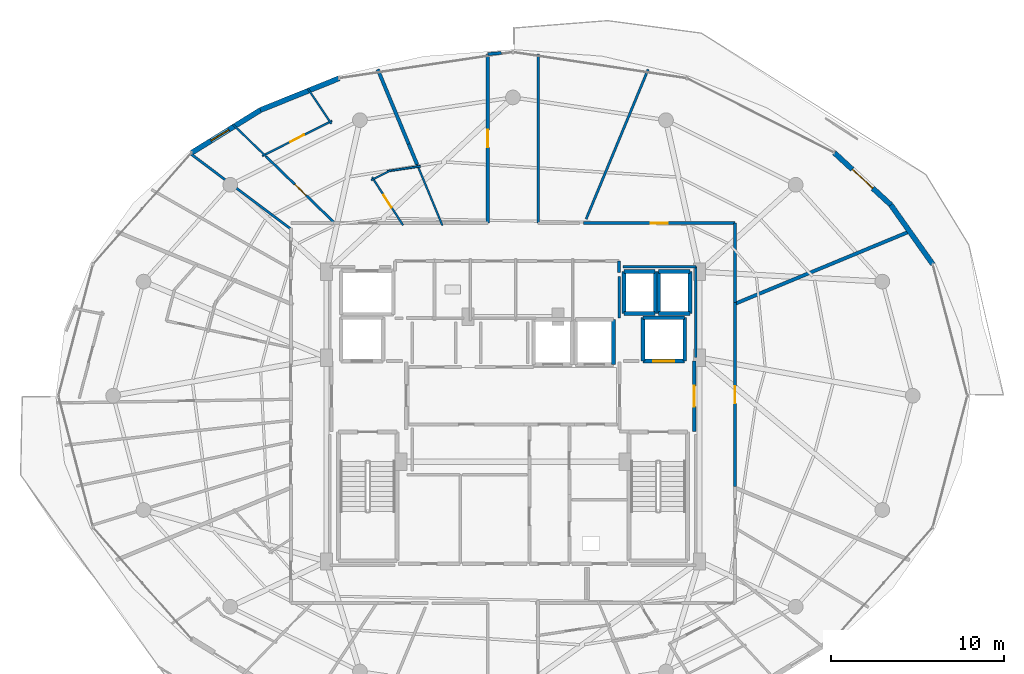
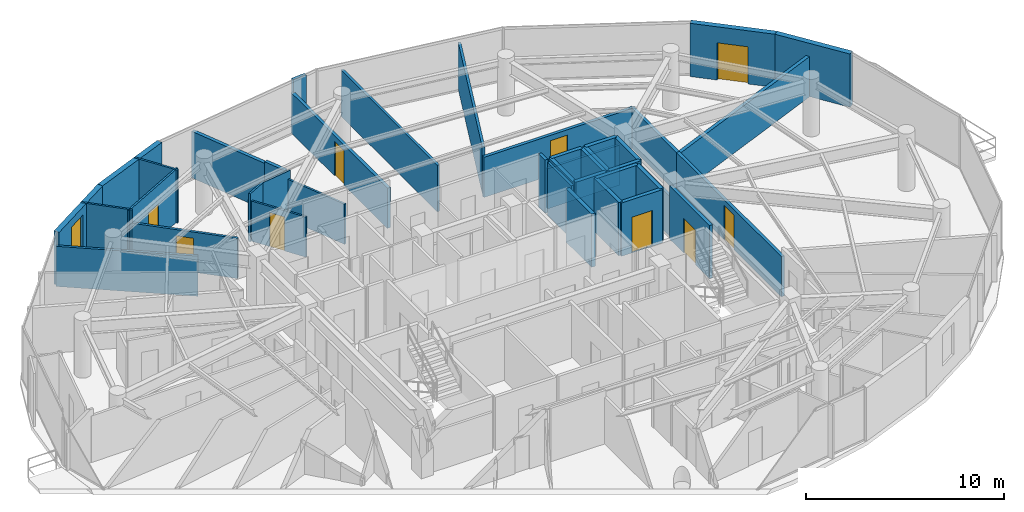
# One storey, part 27 of 31: 41 walls, 9 doors, 1 window, 10 openings.
"""IFC4 building model written with IfcOpenShell, lengths in metres."""

import ifcopenshell
import ifcopenshell.guid

model = None  # the IFC model being written
_history = None  # IfcOwnerHistory: only IFC2X3 demands one
_inside = {}  # id of a spatial element -> (the spatial element, [elements in it])
_under = {}  # id of a project, library or spatial element -> (it, [spatial elements below it])
_declared = {}  # id of a project -> (the project, [libraries it declares])
_typed = {}  # id of a type object -> (the type object, [elements of that type])
_made_of = {}  # id of a material, layer set ... -> (it, [elements and type objects made of it])


def new_model(schema):
    """Start an empty IFC model of exactly this schema.

    Asked for "IFC4X3", IfcOpenShell would pick the latest addendum, in which some entities
    have other attributes; the version numbers below select the first issue.
    IFC2X3 requires an IfcOwnerHistory on every rooted entity: one is made here for all.
    """
    global model, _history
    if schema == "IFC4X3":
        model = ifcopenshell.file(schema_version=(4, 3, 0, 0))
    else:
        model = ifcopenshell.file(schema=schema)
    _inside.clear()
    _under.clear()
    _declared.clear()
    _typed.clear()
    _made_of.clear()
    _history = None
    if model.schema == "IFC2X3":
        org = make("IfcOrganization", Name="unknown")
        user = make(
            "IfcPersonAndOrganization",
            ThePerson=make("IfcPerson", FamilyName="unknown"),
            TheOrganization=org,
        )
        app = make(
            "IfcApplication",
            ApplicationDeveloper=org,
            Version="unknown",
            ApplicationFullName="unknown",
            ApplicationIdentifier="unknown",
        )
        _history = make(
            "IfcOwnerHistory",
            OwningUser=user,
            OwningApplication=app,
            ChangeAction="ADDED",
            CreationDate=0,
        )
    return model


def make(cls, **values):
    """One entity of the class cls with the attributes given. An attribute that is None is left unset."""
    return model.create_entity(
        cls, **{name: value for name, value in values.items() if value is not None}
    )


def rooted(cls, **values):
    """An entity with a GlobalId (a new one), such as an element, a storey or a relation."""
    return make(cls, GlobalId=ifcopenshell.guid.new(), OwnerHistory=_history, **values)


def si_unit(unit_type, name, prefix=None):
    """IfcSIUnit, for example si_unit("LENGTHUNIT", "METRE", prefix="MILLI")."""
    return make("IfcSIUnit", UnitType=unit_type, Prefix=prefix, Name=name)


def assignment(units):
    """IfcUnitAssignment: the units of a project."""
    return None if units is None else make("IfcUnitAssignment", Units=units)


def point(xyz):
    """IfcCartesianPoint."""
    return None if xyz is None else make("IfcCartesianPoint", Coordinates=xyz)


def direction(xyz):
    """IfcDirection."""
    return None if xyz is None else make("IfcDirection", DirectionRatios=xyz)


def frame(location, z_axis=None, x_axis=None):
    """IfcAxis2Placement3D, a coordinate frame: its origin and axes. An axis left out is left unset."""
    return make(
        "IfcAxis2Placement3D",
        Location=point(location),
        Axis=direction(z_axis),
        RefDirection=direction(x_axis),
    )


def frame_2d(location, x_axis=None):
    """IfcAxis2Placement2D, a coordinate frame in the plane: its origin and x axis."""
    return make(
        "IfcAxis2Placement2D", Location=point(location), RefDirection=direction(x_axis)
    )


def origin():
    """The frame at (0, 0, 0) with its axes left unset."""
    return frame((0.0, 0.0, 0.0))


def place(relative_to, where):
    """IfcLocalPlacement: puts the frame where relative to a parent placement (None: the world)."""
    return make(
        "IfcLocalPlacement", PlacementRelTo=relative_to, RelativePlacement=where
    )


def context(
    kind, dimensions, precision=None, world=None, true_north=None, identifier=None
):
    """IfcGeometricRepresentationContext, for example the 3D "Model" context."""
    return make(
        "IfcGeometricRepresentationContext",
        ContextIdentifier=identifier,
        ContextType=kind,
        CoordinateSpaceDimension=dimensions,
        Precision=precision,
        WorldCoordinateSystem=world,
        TrueNorth=true_north,
    )


def subcontext(parent, identifier, kind, view, scale=None):
    """IfcGeometricRepresentationSubContext, for example "Body" below "Model"."""
    return make(
        "IfcGeometricRepresentationSubContext",
        ContextIdentifier=identifier,
        ContextType=kind,
        ParentContext=parent,
        TargetScale=scale,
        TargetView=view,
    )


def project(units=None, contexts=None):
    """IfcProject with its units and contexts."""
    return rooted(
        "IfcProject",
        Name="project",
        RepresentationContexts=contexts,
        UnitsInContext=assignment(units),
    )


def spatial(cls, under=None, at=None, **own):
    """A site, building, storey or space (cls), placed at a placement, below another one or the project."""
    s = rooted(cls, ObjectPlacement=at, **own)
    if under is not None:
        _under.setdefault(under.id(), (under, []))[1].append(s)
    return s


def profile(cls, at=None, kind="AREA", **sizes):
    """A parametric profile (cls). Its sizes go by their IFC names, for example OverallWidth=200.0."""
    return make(cls, ProfileType=kind, Position=at, **sizes)


def rectangle(**sizes):
    """IfcRectangleProfileDef."""
    return profile("IfcRectangleProfileDef", **sizes)


def extrude(swept, where, along, depth):
    """IfcExtrudedAreaSolid: the profile swept, set in the frame where, extruded along a direction by depth."""
    return make(
        "IfcExtrudedAreaSolid",
        SweptArea=swept,
        Position=where,
        ExtrudedDirection=direction(along),
        Depth=depth,
    )


def shape(context_of_items, identifier, shape_type, items):
    """IfcShapeRepresentation: the items that make up one representation, for example the "Body"."""
    return make(
        "IfcShapeRepresentation",
        ContextOfItems=context_of_items,
        RepresentationIdentifier=identifier,
        RepresentationType=shape_type,
        Items=items,
    )


def material(Name=None, Category=None):
    """IfcMaterial."""
    return make("IfcMaterial", Name=Name, Category=Category)


def layer(
    of_material, thickness, ventilated=None, Name=None, Category=None, Priority=None
):
    """IfcMaterialLayer: one layer of a wall or slab, of a material (None: an air gap)."""
    return make(
        "IfcMaterialLayer",
        Material=of_material,
        LayerThickness=thickness,
        IsVentilated=ventilated,
        Name=Name,
        Category=Category,
        Priority=Priority,
    )


def layer_set(layers, Name=None):
    """IfcMaterialLayerSet."""
    return make("IfcMaterialLayerSet", MaterialLayers=layers, LayerSetName=Name)


def made_of(thing, what):
    """Note that an element or type object is made of a material, layer set ...; save() writes the relation."""
    if what is not None:
        _made_of.setdefault(what.id(), (what, []))[1].append(thing)
    return thing


def type_object(cls, material=None, **own):
    """A type object (cls), such as IfcWallType, which elements share."""
    return made_of(rooted(cls, **own), material)


def element(
    cls,
    number,
    at=None,
    inside=None,
    cuts=None,
    type_object=None,
    material=None,
    context=None,
    identifier="Body",
    shape_type=None,
    held_by="IfcProductDefinitionShape",
    body=None,
    shapes=None,
    **own,
):
    """One element of the class cls, such as IfcWall. Its Tag is "e" and its number.

    at: its placement. inside: the storey or other place that contains it. cuts: it is an
    opening in that element (IfcRelVoidsElement). A single representation is given by context,
    identifier, shape_type and body (its items); several are given by shapes. held_by: the class
    of the entity that holds the representations. save() writes the other relations.
    """
    e = rooted(cls, Tag="e%d" % number, ObjectPlacement=at, **own)
    if body is not None:
        shapes = [shape(context, identifier, shape_type, body)]
    if shapes is not None:
        e.Representation = make(held_by, Representations=shapes)
    if inside is not None:
        _inside.setdefault(inside.id(), (inside, []))[1].append(e)
    if cuts is not None:
        rooted(
            "IfcRelVoidsElement", RelatingBuildingElement=cuts, RelatedOpeningElement=e
        )
    if type_object is not None:
        _typed.setdefault(type_object.id(), (type_object, []))[1].append(e)
    return made_of(e, material)


def fill(opening, filler):
    """IfcRelFillsElement: the door or window that sits in an opening."""
    return rooted(
        "IfcRelFillsElement",
        RelatingOpeningElement=opening,
        RelatedBuildingElement=filler,
    )


def aggregate(whole, parts):
    """IfcRelAggregates: a whole, such as a stair, and the parts it consists of."""
    return rooted("IfcRelAggregates", RelatingObject=whole, RelatedObjects=parts)


def save(model, path):
    """Write the relations noted so far, then the file.

    IfcRelAggregates (storeys below a building ...), IfcRelContainedInSpatialStructure (elements
    in a storey), IfcRelDefinesByType, IfcRelAssociatesMaterial and IfcRelDeclares: one each for
    every whole, place, type object, material and project.
    """
    for whole, parts in _under.values():
        aggregate(whole, parts)
    for where, things in _inside.values():
        rooted(
            "IfcRelContainedInSpatialStructure",
            RelatedElements=things,
            RelatingStructure=where,
        )
    for kind, things in _typed.values():
        rooted("IfcRelDefinesByType", RelatedObjects=things, RelatingType=kind)
    for what, things in _made_of.values():
        rooted("IfcRelAssociatesMaterial", RelatedObjects=things, RelatingMaterial=what)
    for by, libraries in _declared.values():
        rooted("IfcRelDeclares", RelatingContext=by, RelatedDefinitions=libraries)
    model.write(path)


model = new_model("IFC4")

# Units and contexts
model_context = context("Model", 3, precision=1e-05, world=origin(), true_north=direction((0.0, 1.0)))
body_context = subcontext(model_context, "Body", "Model", "MODEL_VIEW")
ifc_project = project(units=[si_unit("LENGTHUNIT", "METRE"), si_unit("AREAUNIT", "SQUARE_METRE"), si_unit("VOLUMEUNIT", "CUBIC_METRE"), si_unit("PLANEANGLEUNIT", "RADIAN"), si_unit("MASSUNIT", "GRAM", prefix="KILO")], contexts=[model_context])

# Site, building, storey
site_placement = place(None, origin())
site = spatial("IfcSite", under=ifc_project, at=site_placement, CompositionType="ELEMENT")
building_placement = place(site_placement, origin())
building = spatial("IfcBuilding", under=site, at=building_placement, Name="Vorneva Point Tower", CompositionType="ELEMENT")
storey_placement = place(building_placement, frame((0.0, 0.0, 244.89990234375)))
storey = spatial("IfcBuildingStorey", under=building, at=storey_placement, Name="L66", CompositionType="ELEMENT", Elevation=244.89990234375)

# Wall, opening, door
ifc_material_1 = material(Name="Concrete B60 (C50/60)", Category="concrete")
ifc_layer_1 = layer(ifc_material_1, 0.35009765625)
ifc_layer_set_1 = layer_set([ifc_layer_1], Name="Concrete B60 (C50/60)")
wall_type_1 = type_object("IfcWallType", Name="WL-CORE-350", PredefinedType="SHEAR", material=ifc_layer_set_1)
wall_1_placement = place(storey_placement, frame((45.5, 28.0, 0.0), z_axis=(0.0, 0.0, 1.0), x_axis=(1.0, 0.0, 0.0)))
wall_1 = element("IfcWall", 1, at=wall_1_placement, inside=storey, type_object=wall_type_1, Name="L66 Lift FFL2 Shaft Wall -Y", PredefinedType="SHEAR", context=body_context, shape_type="SweptSolid", body=[
    extrude(rectangle(XDim=2.39990234375, YDim=0.219970703125, at=frame_2d((1.199951171875, 0.0))), origin(), (0.0, 0.0, 1.0), 3.2900390625),
])
opening_1_placement = place(wall_1_placement, frame((0.60009765625, 0.0, 0.0)))
opening_1 = element("IfcOpeningElement", 2, at=opening_1_placement, cuts=wall_1, Name="Opening LD-02", PredefinedType="OPENING", context=body_context, shape_type="SweptSolid", body=[
    extrude(rectangle(XDim=1.199951171875, YDim=2.199951171875, at=frame_2d((0.60009765625, 1.10009765625))), frame((0.0, 0.125, 0.0), z_axis=(0.0, -1.0, 0.0), x_axis=(1.0, 0.0, 0.0)), (0.0, 0.0, 1.0), 0.249755859375),
])
ifc_material_2 = material(Name="Brushed stainless steel S304", Category="steel")
door_type_1 = type_object("IfcDoorType", Name="LD-FIRE-1200", OperationType="SLIDING_TO_LEFT", PredefinedType="DOOR", material=ifc_material_2)
door_1_placement = place(opening_1_placement, origin())
door_1 = element("IfcDoor", 3, at=door_1_placement, inside=storey, type_object=door_type_1, Name="L66 Lift FFL2 Sliding Landing Door", OperationType="SLIDING_TO_LEFT", OverallHeight=2.199951171875, OverallWidth=1.199951171875, PredefinedType="DOOR", context=body_context, shape_type="SweptSolid", body=[
    extrude(rectangle(XDim=1.199951171875, YDim=2.199951171875, at=frame_2d((0.60009765625, 1.10009765625))), frame((0.0, 0.02490234375, 0.0), z_axis=(0.0, -1.0, 0.0), x_axis=(1.0, 0.0, 0.0)), (0.0, 0.0, 1.0), 0.050048828125),
])
fill(opening_1, door_1)

# Walls
wall_2_placement = place(storey_placement, frame((47.89990234375, 28.0, 0.0), z_axis=(0.0, 0.0, 1.0), x_axis=(0.0, 1.0, 0.0)))
element("IfcWall", 4, at=wall_2_placement, inside=storey, type_object=wall_type_1, Name="L66 Lift FFL2 Shaft Wall +X", PredefinedType="SHEAR", context=body_context, shape_type="SweptSolid", body=[
    extrude(rectangle(XDim=2.5, YDim=0.219970703125, at=frame_2d((1.25, 0.0))), origin(), (0.0, 0.0, 1.0), 3.2900390625),
])
wall_3_placement = place(storey_placement, frame((47.89990234375, 30.5, 0.0), z_axis=(0.0, 0.0, 1.0), x_axis=(-1.0, 0.0, 0.0)))
element("IfcWall", 5, at=wall_3_placement, inside=storey, type_object=wall_type_1, Name="L66 Lift FFL2 Shaft Wall +Y", PredefinedType="SHEAR", context=body_context, shape_type="SweptSolid", body=[
    extrude(rectangle(XDim=2.39990234375, YDim=0.219970703125, at=frame_2d((1.199951171875, 0.0))), origin(), (0.0, 0.0, 1.0), 3.2900390625),
])
wall_4_placement = place(storey_placement, frame((45.5, 30.5, 0.0), z_axis=(0.0, 0.0, 1.0), x_axis=(0.0, -1.0, 0.0)))
element("IfcWall", 6, at=wall_4_placement, inside=storey, type_object=wall_type_1, Name="L66 Lift FFL2 Shaft Wall -X", PredefinedType="SHEAR", context=body_context, shape_type="SweptSolid", body=[
    extrude(rectangle(XDim=2.5, YDim=0.219970703125, at=frame_2d((1.25, 0.0))), origin(), (0.0, 0.0, 1.0), 3.2900390625),
])
ifc_material_3 = material(Name="Precast concrete B50 (C40/50)", Category="concrete")
ifc_layer_2 = layer(ifc_material_3, 0.300048828125)
ifc_layer_set_2 = layer_set([ifc_layer_2], Name="Precast concrete B50 (C40/50)")
wall_type_2 = type_object("IfcWallType", Name="WL-EXT-300", PredefinedType="STANDARD", material=ifc_layer_set_2)
wall_5_placement = place(storey_placement, frame((62.20556640625, 33.5810546875, 0.0), z_axis=(0.0, 0.0, 1.0), x_axis=(-0.577261247247, 0.816559521668, 0.0)))
element("IfcWall", 7, at=wall_5_placement, inside=storey, type_object=wall_type_2, Name="L66 Pale-Metal Facade Spandrel Wall 02.1", PredefinedType="STANDARD", context=body_context, shape_type="SweptSolid", body=[
    extrude(rectangle(XDim=4.194091796875, YDim=0.300048828125, at=frame_2d((2.09716796875, 0.0))), origin(), (0.0, 0.0, 1.0), 3.2900390625),
])

# Wall, opening, door
wall_6_placement = place(storey_placement, frame((59.784423828125, 37.005859375, 0.0), z_axis=(0.0, 0.0, 1.0), x_axis=(-0.735445373611, 0.677584018727, 0.0)))
wall_6 = element("IfcWall", 8, at=wall_6_placement, inside=storey, type_object=wall_type_2, Name="L66 Pale-Metal Facade Spandrel Wall 02.2", PredefinedType="STANDARD", context=body_context, shape_type="SweptSolid", body=[
    extrude(rectangle(XDim=4.430419921875, YDim=0.300048828125, at=frame_2d((2.21533203125, 0.0))), origin(), (0.0, 0.0, 1.0), 3.2900390625),
])
opening_2_placement = place(wall_6_placement, frame((1.415283203125, 0.0, 0.0)))
opening_2 = element("IfcOpeningElement", 9, at=opening_2_placement, cuts=wall_6, Name="Opening BD-01", PredefinedType="OPENING", context=body_context, shape_type="SweptSolid", body=[
    extrude(rectangle(XDim=1.60009765625, YDim=2.300048828125, at=frame_2d((0.800048828125, 1.14990234375))), frame((0.0, 0.1650390625, 0.0), z_axis=(0.0, -1.0, 0.0), x_axis=(1.0, 0.0, 0.0)), (0.0, 0.0, 1.0), 0.329833984375),
])
ifc_material_4 = material(Name="Pale anodised aluminium", Category="aluminium")
door_type_2 = type_object("IfcDoorType", Name="DR-BAL-1600", OperationType="SLIDING_TO_LEFT", PredefinedType="DOOR", material=ifc_material_4)
door_2_placement = place(opening_2_placement, origin())
door_2 = element("IfcDoor", 10, at=door_2_placement, inside=storey, type_object=door_type_2, Name="L66 Balcony Terrace Access Door 02", OperationType="SLIDING_TO_LEFT", OverallHeight=2.300048828125, OverallWidth=1.60009765625, PredefinedType="DOOR", context=body_context, shape_type="SweptSolid", body=[
    extrude(rectangle(XDim=1.60009765625, YDim=2.300048828125, at=frame_2d((0.800048828125, 1.14990234375))), frame((0.0, 0.02490234375, 0.0), z_axis=(0.0, -1.0, 0.0), x_axis=(1.0, 0.0, 0.0)), (0.0, 0.0, 1.0), 0.050048828125),
])
fill(opening_2, door_2)

# Wall
wall_7_placement = place(storey_placement, frame((27.9736328125, 44.302001953125, 0.0), z_axis=(0.0, 0.0, 1.0), x_axis=(-0.927147375511, -0.374696869594, 0.0)))
element("IfcWall", 11, at=wall_7_placement, inside=storey, type_object=wall_type_2, Name="L66 Pale-Metal Facade Spandrel Wall 06.1", PredefinedType="STANDARD", context=body_context, shape_type="SweptSolid", body=[
    extrude(rectangle(XDim=4.885498046875, YDim=0.300048828125, at=frame_2d((2.44287109375, 0.0))), origin(), (0.0, 0.0, 1.0), 3.2900390625),
])

# Wall, opening, window
wall_8_placement = place(storey_placement, frame((23.444091796875, 42.471435546875, 0.0), z_axis=(0.0, 0.0, 1.0), x_axis=(-0.849702323036, -0.527262707032, 0.0)))
wall_8 = element("IfcWall", 12, at=wall_8_placement, inside=storey, type_object=wall_type_2, Name="L66 Pale-Metal Facade Spandrel Wall 06.2", PredefinedType="STANDARD", context=body_context, shape_type="SweptSolid", body=[
    extrude(rectangle(XDim=4.67236328125, YDim=0.300048828125, at=frame_2d((2.336181640625, 0.0))), origin(), (0.0, 0.0, 1.0), 3.2900390625),
])
opening_3_placement = place(wall_8_placement, frame((2.150146484375, 0.0, 0.85009765625)))
opening_3 = element("IfcOpeningElement", 13, at=opening_3_placement, cuts=wall_8, Name="Opening W-04", PredefinedType="OPENING", context=body_context, shape_type="SweptSolid", body=[
    extrude(rectangle(XDim=1.199951171875, YDim=1.949951171875, at=frame_2d((0.60009765625, 0.97509765625))), frame((0.0, 0.1650390625, 0.0), z_axis=(0.0, -1.0, 0.0), x_axis=(1.0, 0.0, 0.0)), (0.0, 0.0, 1.0), 0.329833984375),
])
ifc_material_5 = material(Name="Double low-e laminated glass IGU", Category="glass")
window_type = type_object("IfcWindowType", Name="WN-RES-1200", PartitioningType="SINGLE_PANEL", PredefinedType="WINDOW", material=ifc_material_5)
window_placement = place(opening_3_placement, origin())
window = element("IfcWindow", 14, at=window_placement, inside=storey, type_object=window_type, Name="L66 Dwelling Vision Window 01", OverallHeight=1.949951171875, OverallWidth=1.199951171875, PartitioningType="SINGLE_PANEL", PredefinedType="WINDOW", context=body_context, shape_type="SweptSolid", body=[
    extrude(rectangle(XDim=1.199951171875, YDim=1.949951171875, at=frame_2d((0.60009765625, 0.97509765625))), frame((0.0, 0.030029296875, 0.0), z_axis=(0.0, -1.0, 0.0), x_axis=(1.0, 0.0, 0.0)), (0.0, 0.0, 1.0), 0.06005859375),
])
fill(opening_3, window)

# Wall, opening, door
ifc_material_6 = material(Name="Fire-rated acoustic gypsum stud partition", Category="gypsum")
ifc_layer_3 = layer(ifc_material_6, 0.110107421875)
ifc_layer_set_3 = layer_set([ifc_layer_3], Name="Fire-rated acoustic gypsum stud partition")
wall_type_3 = type_object("IfcWallType", Name="WL-PART-110", PredefinedType="PARTITIONING", material=ifc_layer_set_3)
wall_9_placement = place(storey_placement, frame((31.664794921875, 35.832275390625, 0.0), z_axis=(0.0, 0.0, 1.0), x_axis=(-0.54169901175, 0.840572531474, 0.0)))
wall_9 = element("IfcWall", 15, at=wall_9_placement, inside=storey, type_object=wall_type_3, Name="L66 Interior Partition 071", PredefinedType="PARTITIONING", context=body_context, shape_type="SweptSolid", body=[
    extrude(rectangle(XDim=3.3017578125, YDim=0.110107421875, at=frame_2d((1.65087890625, 0.0))), origin(), (0.0, 0.0, 1.0), 2.482177734375),
])
opening_4_placement = place(wall_9_placement, frame((1.225830078125, 0.0, 0.0)))
opening_4 = element("IfcOpeningElement", 16, at=opening_4_placement, cuts=wall_9, Name="Opening ID-02", PredefinedType="OPENING", context=body_context, shape_type="SweptSolid", body=[
    extrude(rectangle(XDim=0.85009765625, YDim=2.10009765625, at=frame_2d((0.425048828125, 1.050048828125))), frame((0.0, 0.06982421875, 0.0), z_axis=(0.0, -1.0, 0.0), x_axis=(1.0, 0.0, 0.0)), (0.0, 0.0, 1.0), 0.139892578125),
])
ifc_material_7 = material(Name="Engineered oak fire-rated door leaf", Category="wood")
door_type_3 = type_object("IfcDoorType", Name="DR-BATH-850", OperationType="NOTDEFINED", PredefinedType="DOOR", material=ifc_material_7)
door_3_placement = place(opening_4_placement, origin())
door_3 = element("IfcDoor", 17, at=door_3_placement, inside=storey, type_object=door_type_3, Name="L66 Door Living and Dining Room L66-01 / Bathroom L66-01", OperationType="SINGLE_SWING_LEFT", OverallHeight=2.10009765625, OverallWidth=0.85009765625, PredefinedType="DOOR", context=body_context, shape_type="SweptSolid", body=[
    extrude(rectangle(XDim=0.85009765625, YDim=2.10009765625, at=frame_2d((0.425048828125, 1.050048828125))), frame((0.0, 0.02490234375, 0.0), z_axis=(0.0, -1.0, 0.0), x_axis=(1.0, 0.0, 0.0)), (0.0, 0.0, 1.0), 0.050048828125),
])
fill(opening_4, door_3)

# Walls
wall_10_placement = place(storey_placement, frame((29.8271484375, 38.4267578125, 0.0), z_axis=(0.0, 0.0, 1.0), x_axis=(0.892302210035, 0.451438551706, 0.0)))
element("IfcWall", 18, at=wall_10_placement, inside=storey, type_object=wall_type_3, Name="L66 Interior Partition 072", PredefinedType="PARTITIONING", context=body_context, shape_type="SweptSolid", body=[
    extrude(rectangle(XDim=1.339111328125, YDim=0.110107421875, at=frame_2d((0.66943359375, 0.0))), origin(), (0.0, 0.0, 1.0), 2.97216796875),
])
wall_11_placement = place(storey_placement, frame((30.758544921875, 38.947265625, 0.0), z_axis=(0.0, 0.0, 1.0), x_axis=(0.988889867338, 0.148650026153, 0.0)))
element("IfcWall", 19, at=wall_11_placement, inside=storey, type_object=wall_type_3, Name="L66 Interior Partition 073", PredefinedType="PARTITIONING", context=body_context, shape_type="SweptSolid", body=[
    extrude(rectangle(XDim=1.92822265625, YDim=0.110107421875, at=frame_2d((0.964111328125, 0.0))), origin(), (0.0, 0.0, 1.0), 2.97216796875),
])
wall_12_placement = place(storey_placement, frame((32.473388671875, 39.34228515625, 0.0), z_axis=(0.0, 0.0, 1.0), x_axis=(0.382813734438, -0.92382554886, 0.0)))
element("IfcWall", 20, at=wall_12_placement, inside=storey, type_object=wall_type_3, Name="L66 Interior Partition 074", PredefinedType="PARTITIONING", context=body_context, shape_type="SweptSolid", body=[
    extrude(rectangle(XDim=3.811767578125, YDim=0.110107421875, at=frame_2d((1.90576171875, 0.0))), origin(), (0.0, 0.0, 1.0), 2.482177734375),
])

# Wall, opening, door
wall_13_placement = place(storey_placement, frame((27.578857421875, 41.858154296875, 0.0), z_axis=(0.0, 0.0, 1.0), x_axis=(-0.892472689139, -0.451101428883, 0.0)))
wall_13 = element("IfcWall", 21, at=wall_13_placement, inside=storey, type_object=wall_type_3, Name="L66 Interior Partition 075", PredefinedType="PARTITIONING", context=body_context, shape_type="SweptSolid", body=[
    extrude(rectangle(XDim=4.516357421875, YDim=0.110107421875, at=frame_2d((2.25830078125, 0.0))), origin(), (0.0, 0.0, 1.0), 3.2900390625),
])
opening_5_placement = place(wall_13_placement, frame((1.80810546875, 0.0, 0.0)))
opening_5 = element("IfcOpeningElement", 22, at=opening_5_placement, cuts=wall_13, Name="Opening ID-01", PredefinedType="OPENING", context=body_context, shape_type="SweptSolid", body=[
    extrude(rectangle(XDim=0.89990234375, YDim=2.10009765625, at=frame_2d((0.449951171875, 1.050048828125))), frame((0.0, 0.06982421875, 0.0), z_axis=(0.0, -1.0, 0.0), x_axis=(1.0, 0.0, 0.0)), (0.0, 0.0, 1.0), 0.139892578125),
])
door_type_4 = type_object("IfcDoorType", Name="DR-ROOM-900", OperationType="NOTDEFINED", PredefinedType="DOOR", material=ifc_material_7)
door_4_placement = place(opening_5_placement, origin())
door_4 = element("IfcDoor", 23, at=door_4_placement, inside=storey, type_object=door_type_4, Name="L66 Door Living and Dining Room L66-01 / Kitchen L66-01", OperationType="SINGLE_SWING_RIGHT", OverallHeight=2.10009765625, OverallWidth=0.89990234375, PredefinedType="DOOR", context=body_context, shape_type="SweptSolid", body=[
    extrude(rectangle(XDim=0.89990234375, YDim=2.10009765625, at=frame_2d((0.449951171875, 1.050048828125))), frame((0.0, 0.02490234375, 0.0), z_axis=(0.0, -1.0, 0.0), x_axis=(1.0, 0.0, 0.0)), (0.0, 0.0, 1.0), 0.050048828125),
])
fill(opening_5, door_4)

# Walls
wall_14_placement = place(storey_placement, frame((23.7734375, 39.78662109375, 0.0), z_axis=(0.0, 0.0, 1.0), x_axis=(-0.718131661866, 0.695907261225, 0.0)))
element("IfcWall", 24, at=wall_14_placement, inside=storey, type_object=wall_type_3, Name="L66 Interior Partition 076", PredefinedType="PARTITIONING", context=body_context, shape_type="SweptSolid", body=[
    extrude(rectangle(XDim=2.66943359375, YDim=0.110107421875, at=frame_2d((1.334716796875, 0.0))), origin(), (0.0, 0.0, 1.0), 3.2900390625),
])
wall_15_placement = place(storey_placement, frame((26.168212890625, 43.718505859375, 0.0), z_axis=(0.0, 0.0, 1.0), x_axis=(0.555733085272, -0.831360774835, 0.0)))
element("IfcWall", 25, at=wall_15_placement, inside=storey, type_object=wall_type_3, Name="L66 Interior Partition 077", PredefinedType="PARTITIONING", context=body_context, shape_type="SweptSolid", body=[
    extrude(rectangle(XDim=2.45361328125, YDim=0.110107421875, at=frame_2d((1.226806640625, 0.0))), origin(), (0.0, 0.0, 1.0), 3.2900390625),
])

# Wall, opening, door
ifc_layer_4 = layer(ifc_material_6, 0.139892578125)
ifc_layer_set_4 = layer_set([ifc_layer_4], Name="Fire-rated acoustic gypsum stud partition")
wall_type_4 = type_object("IfcWallType", Name="WL-PART-140", PredefinedType="PARTITIONING", material=ifc_layer_set_4)
wall_16_placement = place(storey_placement, frame((23.7734375, 39.78662109375, 0.0), z_axis=(0.0, 0.0, 1.0), x_axis=(0.718070058765, -0.695970826045, 0.0)))
wall_16 = element("IfcWall", 26, at=wall_16_placement, inside=storey, type_object=wall_type_4, Name="L66 Interior Partition 078", PredefinedType="PARTITIONING", context=body_context, shape_type="SweptSolid", body=[
    extrude(rectangle(XDim=5.5126953125, YDim=0.139892578125, at=frame_2d((2.75634765625, 0.0))), origin(), (0.0, 0.0, 1.0), 2.482177734375),
])
opening_6_placement = place(wall_16_placement, frame((2.306396484375, 0.0, 0.0)))
opening_6 = element("IfcOpeningElement", 27, at=opening_6_placement, cuts=wall_16, Name="Opening ID-01", PredefinedType="OPENING", context=body_context, shape_type="SweptSolid", body=[
    extrude(rectangle(XDim=0.89990234375, YDim=2.10009765625, at=frame_2d((0.449951171875, 1.050048828125))), frame((0.0, 0.0849609375, 0.0), z_axis=(0.0, -1.0, 0.0), x_axis=(1.0, 0.0, 0.0)), (0.0, 0.0, 1.0), 0.169677734375),
])
door_5_placement = place(opening_6_placement, origin())
door_5 = element("IfcDoor", 28, at=door_5_placement, inside=storey, type_object=door_type_4, Name="L66 Door Living and Dining Room L66-01 / Master Bedroom L66-01.1", OperationType="SINGLE_SWING_LEFT", OverallHeight=2.10009765625, OverallWidth=0.89990234375, PredefinedType="DOOR", context=body_context, shape_type="SweptSolid", body=[
    extrude(rectangle(XDim=0.89990234375, YDim=2.10009765625, at=frame_2d((0.449951171875, 1.050048828125))), frame((0.0, 0.02490234375, 0.0), z_axis=(0.0, -1.0, 0.0), x_axis=(1.0, 0.0, 0.0)), (0.0, 0.0, 1.0), 0.050048828125),
])
fill(opening_6, door_5)

# Walls
wall_17_placement = place(storey_placement, frame((19.4150390625, 39.9541015625, 0.0), z_axis=(0.0, 0.0, 1.0), x_axis=(0.799712355931, -0.600383334022, 0.0)))
element("IfcWall", 29, at=wall_17_placement, inside=storey, type_object=wall_type_4, Name="L66 Interior Partition 081", PredefinedType="PARTITIONING", context=body_context, shape_type="SweptSolid", body=[
    extrude(rectangle(XDim=7.233642578125, YDim=0.139892578125, at=frame_2d((3.61669921875, 0.0))), origin(), (0.0, 0.0, 1.0), 2.482177734375),
])
wall_18_placement = place(storey_placement, frame((44.1201171875, 30.47998046875, 0.0), z_axis=(0.0, 0.0, 1.0), x_axis=(0.0, 1.0, 0.0)))
element("IfcWall", 30, at=wall_18_placement, inside=storey, type_object=wall_type_4, Name="L66 Interior Closure Partition 131", PredefinedType="PARTITIONING", context=body_context, shape_type="SweptSolid", body=[
    extrude(rectangle(XDim=2.409912109375, YDim=0.139892578125, at=frame_2d((1.205078125, 0.0))), origin(), (0.0, 0.0, 1.0), 3.2900390625),
])
wall_19_placement = place(storey_placement, frame((39.449951171875, 35.949951171875, 0.0), z_axis=(0.0, 0.0, 1.0), x_axis=(0.0, 1.0, 0.0)))
element("IfcWall", 31, at=wall_19_placement, inside=storey, type_object=wall_type_4, Name="L66 Interior Closure Partition 140", PredefinedType="PARTITIONING", context=body_context, shape_type="SweptSolid", body=[
    extrude(rectangle(XDim=9.7509765625, YDim=0.139892578125, at=frame_2d((4.87548828125, 0.0))), origin(), (0.0, 0.0, 1.0), 2.8740234375),
])
wall_20_placement = place(storey_placement, frame((48.550048828125, 28.196044921875, 0.0), z_axis=(0.0, 0.0, 1.0), x_axis=(0.0, 1.0, 0.0)))
element("IfcWall", 32, at=wall_20_placement, inside=storey, type_object=wall_type_4, Name="L66 Interior Closure Partition 143", PredefinedType="PARTITIONING", context=body_context, shape_type="SweptSolid", body=[
    extrude(rectangle(XDim=5.25390625, YDim=0.139892578125, at=frame_2d((2.626953125, 0.0))), origin(), (0.0, 0.0, 1.0), 2.482177734375),
])
wall_21_placement = place(storey_placement, frame((48.550048828125, 33.449951171875, 0.0), z_axis=(0.0, 0.0, 1.0), x_axis=(-1.0, 0.0, 0.0)))
element("IfcWall", 33, at=wall_21_placement, inside=storey, type_object=wall_type_4, Name="L66 Interior Closure Partition 144", PredefinedType="PARTITIONING", context=body_context, shape_type="SweptSolid", body=[
    extrude(rectangle(XDim=4.2099609375, YDim=0.139892578125, at=frame_2d((2.10498046875, 0.0))), origin(), (0.0, 0.0, 1.0), 2.482177734375),
])
wall_22_placement = place(storey_placement, frame((45.79296875, 44.81298828125, 0.0), z_axis=(0.0, 0.0, 1.0), x_axis=(-0.382742241568, -0.923855170749, 0.0)))
element("IfcWall", 34, at=wall_22_placement, inside=storey, type_object=wall_type_4, Name="L66 Interior Closure Partition 153", PredefinedType="PARTITIONING", context=body_context, shape_type="SweptSolid", body=[
    extrude(rectangle(XDim=9.332763671875, YDim=0.139892578125, at=frame_2d((4.66650390625, 0.0))), origin(), (0.0, 0.0, 1.0), 2.8740234375),
])

# Wall, opening, door
ifc_material_8 = material(Name="Autoclaved aerated concrete blockwork", Category="masonry")
ifc_layer_5 = layer(ifc_material_8, 0.179931640625)
ifc_layer_set_5 = layer_set([ifc_layer_5], Name="Autoclaved aerated concrete blockwork")
wall_type_5 = type_object("IfcWallType", Name="WL-PART-180", PredefinedType="PARTITIONING", material=ifc_layer_set_5)
wall_23_placement = place(storey_placement, frame((48.449951171875, 23.949951171875, 0.0), z_axis=(0.0, 0.0, 1.0), x_axis=(0.0, 1.0, 0.0)))
wall_23 = element("IfcWall", 35, at=wall_23_placement, inside=storey, type_object=wall_type_5, Name="L66 Interior Partition 005", PredefinedType="PARTITIONING", context=body_context, shape_type="SweptSolid", body=[
    extrude(rectangle(XDim=4.050048828125, YDim=0.179931640625, at=frame_2d((2.02490234375, 0.0))), origin(), (0.0, 0.0, 1.0), 3.2900390625),
])
opening_7_placement = place(wall_23_placement, frame((1.425048828125, 0.0, 0.0)))
opening_7 = element("IfcOpeningElement", 36, at=opening_7_placement, cuts=wall_23, Name="Opening FD-02", PredefinedType="OPENING", context=body_context, shape_type="SweptSolid", body=[
    extrude(rectangle(XDim=1.199951171875, YDim=2.14990234375, at=frame_2d((0.60009765625, 1.074951171875))), frame((0.0, 0.10498046875, 0.0), z_axis=(0.0, -1.0, 0.0), x_axis=(1.0, 0.0, 0.0)), (0.0, 0.0, 1.0), 0.209716796875),
])
ifc_material_9 = material(Name="Fire-rated powder-coated steel", Category="steel")
door_type_5 = type_object("IfcDoorType", Name="DR-FFL-1200", OperationType="NOTDEFINED", PredefinedType="DOOR", material=ifc_material_9)
door_6_placement = place(opening_7_placement, origin())
door_6 = element("IfcDoor", 37, at=door_6_placement, inside=storey, type_object=door_type_5, Name="L66 Door East Firefighting Lobby / L66 Circulation Corridor", OperationType="SINGLE_SWING_LEFT", OverallHeight=2.14990234375, OverallWidth=1.199951171875, PredefinedType="DOOR", context=body_context, shape_type="SweptSolid", body=[
    extrude(rectangle(XDim=1.199951171875, YDim=2.14990234375, at=frame_2d((0.60009765625, 1.074951171875))), frame((0.0, 0.02490234375, 0.0), z_axis=(0.0, -1.0, 0.0), x_axis=(1.0, 0.0, 0.0)), (0.0, 0.0, 1.0), 0.050048828125),
])
fill(opening_7, door_6)

# Wall
wall_24_placement = place(storey_placement, frame((44.1201171875, 33.110107421875, 0.0), z_axis=(0.0, 0.0, 1.0), x_axis=(0.0, 1.0, 0.0)))
element("IfcWall", 38, at=wall_24_placement, inside=storey, type_object=wall_type_5, Name="L66 Interior Partition 032", PredefinedType="PARTITIONING", context=body_context, shape_type="SweptSolid", body=[
    extrude(rectangle(XDim=0.64990234375, YDim=0.179931640625, at=frame_2d((0.324951171875, 0.0))), origin(), (0.0, 0.0, 1.0), 3.2900390625),
])

# Wall, opening, door
wall_25_placement = place(storey_placement, frame((50.800048828125, 20.758056640625, 0.0), z_axis=(0.0, 0.0, 1.0), x_axis=(0.0, 1.0, 0.0)))
wall_25 = element("IfcWall", 39, at=wall_25_placement, inside=storey, type_object=wall_type_5, Name="L66 Interior Partition 065", PredefinedType="PARTITIONING", context=body_context, shape_type="SweptSolid", body=[
    extrude(rectangle(XDim=10.60888671875, YDim=0.179931640625, at=frame_2d((5.304443359375, 0.0))), origin(), (0.0, 0.0, 1.0), 2.482177734375),
])
opening_8_placement = place(wall_25_placement, frame((4.804443359375, 0.0, 0.0)))
opening_8 = element("IfcOpeningElement", 40, at=opening_8_placement, cuts=wall_25, Name="Opening UD-01", PredefinedType="OPENING", context=body_context, shape_type="SweptSolid", body=[
    extrude(rectangle(XDim=1.0, YDim=2.14990234375, at=frame_2d((0.5, 1.074951171875))), frame((0.0, 0.10498046875, 0.0), z_axis=(0.0, -1.0, 0.0), x_axis=(1.0, 0.0, 0.0)), (0.0, 0.0, 1.0), 0.209716796875),
])
door_type_6 = type_object("IfcDoorType", Name="DR-UNIT-1000", OperationType="NOTDEFINED", PredefinedType="DOOR", material=ifc_material_7)
door_7_placement = place(opening_8_placement, origin())
door_7 = element("IfcDoor", 41, at=door_7_placement, inside=storey, type_object=door_type_6, Name="L66 Door L66 Circulation Corridor / Residents Sky Lounge L66-06", OperationType="SINGLE_SWING_LEFT", OverallHeight=2.14990234375, OverallWidth=1.0, PredefinedType="DOOR", context=body_context, shape_type="SweptSolid", body=[
    extrude(rectangle(XDim=1.0, YDim=2.14990234375, at=frame_2d((0.5, 1.074951171875))), frame((0.0, 0.02490234375, 0.0), z_axis=(0.0, -1.0, 0.0), x_axis=(1.0, 0.0, 0.0)), (0.0, 0.0, 1.0), 0.050048828125),
])
fill(opening_8, door_7)

# Wall
wall_26_placement = place(storey_placement, frame((50.800048828125, 31.366943359375, 0.0), z_axis=(0.0, 0.0, 1.0), x_axis=(0.0, 1.0, 0.0)))
element("IfcWall", 42, at=wall_26_placement, inside=storey, type_object=wall_type_5, Name="L66 Interior Partition 066", PredefinedType="PARTITIONING", context=body_context, shape_type="SweptSolid", body=[
    extrude(rectangle(XDim=4.5830078125, YDim=0.179931640625, at=frame_2d((2.29150390625, 0.0))), origin(), (0.0, 0.0, 1.0), 2.482177734375),
])

# Wall, opening, door
wall_27_placement = place(storey_placement, frame((50.800048828125, 35.949951171875, 0.0), z_axis=(0.0, 0.0, 1.0), x_axis=(-1.0, 0.0, 0.0)))
wall_27 = element("IfcWall", 43, at=wall_27_placement, inside=storey, type_object=wall_type_5, Name="L66 Interior Partition 067", PredefinedType="PARTITIONING", context=body_context, shape_type="SweptSolid", body=[
    extrude(rectangle(XDim=8.739013671875, YDim=0.179931640625, at=frame_2d((4.36962890625, 0.0))), origin(), (0.0, 0.0, 1.0), 2.482177734375),
])
opening_9_placement = place(wall_27_placement, frame((3.869384765625, 0.0, 0.0)))
opening_9 = element("IfcOpeningElement", 44, at=opening_9_placement, cuts=wall_27, Name="Opening UD-01", PredefinedType="OPENING", context=body_context, shape_type="SweptSolid", body=[
    extrude(rectangle(XDim=1.0, YDim=2.14990234375, at=frame_2d((0.5, 1.074951171875))), frame((0.0, 0.10498046875, 0.0), z_axis=(0.0, -1.0, 0.0), x_axis=(1.0, 0.0, 0.0)), (0.0, 0.0, 1.0), 0.209716796875),
])
door_8_placement = place(opening_9_placement, origin())
door_8 = element("IfcDoor", 45, at=door_8_placement, inside=storey, type_object=door_type_6, Name="L66 Door L66 Circulation Corridor / Residents Sky Lounge L66-07", OperationType="SINGLE_SWING_RIGHT", OverallHeight=2.14990234375, OverallWidth=1.0, PredefinedType="DOOR", context=body_context, shape_type="SweptSolid", body=[
    extrude(rectangle(XDim=1.0, YDim=2.14990234375, at=frame_2d((0.5, 1.074951171875))), frame((0.0, 0.02490234375, 0.0), z_axis=(0.0, -1.0, 0.0), x_axis=(1.0, 0.0, 0.0)), (0.0, 0.0, 1.0), 0.050048828125),
])
fill(opening_9, door_8)

# Wall
wall_28_placement = place(storey_placement, frame((37.3291015625, 45.760009765625, 0.0), z_axis=(0.0, 0.0, 1.0), x_axis=(-0.997136622012, -0.0756211415, 0.0)))
element("IfcWall", 46, at=wall_28_placement, inside=storey, type_object=wall_type_5, Name="L66 Interior Partition 068", PredefinedType="PARTITIONING", context=body_context, shape_type="SweptSolid", body=[
    extrude(rectangle(XDim=0.78125, YDim=0.179931640625, at=frame_2d((0.390625, 0.0))), origin(), (0.0, 0.0, 1.0), 3.2900390625),
])

# Wall, opening, door
wall_29_placement = place(storey_placement, frame((36.550048828125, 45.700927734375, 0.0), z_axis=(0.0, 0.0, 1.0), x_axis=(0.0, -1.0, 0.0)))
wall_29 = element("IfcWall", 47, at=wall_29_placement, inside=storey, type_object=wall_type_5, Name="L66 Interior Partition 069", PredefinedType="PARTITIONING", context=body_context, shape_type="SweptSolid", body=[
    extrude(rectangle(XDim=9.7509765625, YDim=0.179931640625, at=frame_2d((4.87548828125, 0.0))), origin(), (0.0, 0.0, 1.0), 2.482177734375),
])
opening_10_placement = place(wall_29_placement, frame((4.37548828125, 0.0, 0.0)))
opening_10 = element("IfcOpeningElement", 48, at=opening_10_placement, cuts=wall_29, Name="Opening UD-01", PredefinedType="OPENING", context=body_context, shape_type="SweptSolid", body=[
    extrude(rectangle(XDim=1.0, YDim=2.14990234375, at=frame_2d((0.5, 1.074951171875))), frame((0.0, 0.10498046875, 0.0), z_axis=(0.0, -1.0, 0.0), x_axis=(1.0, 0.0, 0.0)), (0.0, 0.0, 1.0), 0.209716796875),
])
door_9_placement = place(opening_10_placement, origin())
door_9 = element("IfcDoor", 49, at=door_9_placement, inside=storey, type_object=door_type_6, Name="L66 Door L66 Circulation Corridor / Residents Fitness Studio L66-08", OperationType="SINGLE_SWING_LEFT", OverallHeight=2.14990234375, OverallWidth=1.0, PredefinedType="DOOR", context=body_context, shape_type="SweptSolid", body=[
    extrude(rectangle(XDim=1.0, YDim=2.14990234375, at=frame_2d((0.5, 1.074951171875))), frame((0.0, 0.02490234375, 0.0), z_axis=(0.0, -1.0, 0.0), x_axis=(1.0, 0.0, 0.0)), (0.0, 0.0, 1.0), 0.050048828125),
])
fill(opening_10, door_9)

# Walls
ifc_layer_6 = layer(ifc_material_8, 0.199951171875)
ifc_layer_set_6 = layer_set([ifc_layer_6], Name="Autoclaved aerated concrete blockwork")
wall_type_6 = type_object("IfcWallType", Name="WL-PART-200", PredefinedType="PARTITIONING", material=ifc_layer_set_6)
wall_30_placement = place(storey_placement, frame((32.473388671875, 39.34228515625, 0.0), z_axis=(0.0, 0.0, 1.0), x_axis=(-0.382714507304, 0.923866660238, 0.0)))
element("IfcWall", 50, at=wall_30_placement, inside=storey, type_object=wall_type_6, Name="L66 Interior Partition 079", PredefinedType="PARTITIONING", context=body_context, shape_type="SweptSolid", body=[
    extrude(rectangle(XDim=1.26806640625, YDim=0.199951171875, at=frame_2d((0.634033203125, 0.0))), origin(), (0.0, 0.0, 1.0), 2.97216796875),
])
wall_31_placement = place(storey_placement, frame((31.988037109375, 40.513916015625, 0.0), z_axis=(0.0, 0.0, 1.0), x_axis=(-0.382733290986, 0.923858878818, 0.0)))
element("IfcWall", 51, at=wall_31_placement, inside=storey, type_object=wall_type_6, Name="L66 Interior Partition 080", PredefinedType="PARTITIONING", context=body_context, shape_type="SweptSolid", body=[
    extrude(rectangle(XDim=4.6533203125, YDim=0.199951171875, at=frame_2d((2.32666015625, 0.0))), origin(), (0.0, 0.0, 1.0), 2.8740234375),
])
wall_32_placement = place(storey_placement, frame((60.866943359375, 35.471923828125, 0.0), z_axis=(0.0, 0.0, 1.0), x_axis=(-0.923877013663, -0.382689513347, 0.0)))
element("IfcWall", 52, at=wall_32_placement, inside=storey, type_object=wall_type_6, Name="L66 Interior Partition 127", PredefinedType="PARTITIONING", context=body_context, shape_type="SweptSolid", body=[
    extrude(rectangle(XDim=10.896240234375, YDim=0.199951171875, at=frame_2d((5.4482421875, 0.0))), origin(), (0.0, 0.0, 1.0), 2.482177734375),
])
ifc_material_10 = material(Name="Concrete B50 (C40/50)", Category="concrete")
ifc_layer_7 = layer(ifc_material_10, 0.219970703125)
ifc_layer_set_7 = layer_set([ifc_layer_7], Name="Concrete B50 (C40/50)")
wall_type_7 = type_object("IfcWallType", Name="WL-SHFT-220", PredefinedType="SOLIDWALL", material=ifc_layer_set_7)
wall_33_placement = place(storey_placement, frame((43.800048828125, 27.800048828125, 0.0), z_axis=(0.0, 0.0, 1.0), x_axis=(0.0, 1.0, 0.0)))
element("IfcWall", 53, at=wall_33_placement, inside=storey, type_object=wall_type_7, Name="L66 Lift PL8 Shaft Wall +X", PredefinedType="SOLIDWALL", context=body_context, shape_type="SweptSolid", body=[
    extrude(rectangle(XDim=2.599853515625, YDim=0.219970703125, at=frame_2d((1.2998046875, 0.0))), origin(), (0.0, 0.0, 1.0), 3.2900390625),
])
wall_34_placement = place(storey_placement, frame((44.39990234375, 30.739990234375, 0.0), z_axis=(0.0, 0.0, 1.0), x_axis=(1.0, 0.0, 0.0)))
element("IfcWall", 54, at=wall_34_placement, inside=storey, type_object=wall_type_7, Name="L66 Lift EX1 Shaft Wall -Y", PredefinedType="SOLIDWALL", context=body_context, shape_type="SweptSolid", body=[
    extrude(rectangle(XDim=1.800048828125, YDim=0.219970703125, at=frame_2d((0.89990234375, 0.0))), origin(), (0.0, 0.0, 1.0), 3.2900390625),
])
wall_35_placement = place(storey_placement, frame((46.199951171875, 30.739990234375, 0.0), z_axis=(0.0, 0.0, 1.0), x_axis=(0.0, 1.0, 0.0)))
element("IfcWall", 55, at=wall_35_placement, inside=storey, type_object=wall_type_7, Name="L66 Lift EX1 Shaft Wall +X", PredefinedType="SOLIDWALL", context=body_context, shape_type="SweptSolid", body=[
    extrude(rectangle(XDim=2.419921875, YDim=0.219970703125, at=frame_2d((1.2099609375, 0.0))), origin(), (0.0, 0.0, 1.0), 3.2900390625),
])
wall_36_placement = place(storey_placement, frame((46.199951171875, 33.159912109375, 0.0), z_axis=(0.0, 0.0, 1.0), x_axis=(-1.0, 0.0, 0.0)))
element("IfcWall", 56, at=wall_36_placement, inside=storey, type_object=wall_type_7, Name="L66 Lift EX1 Shaft Wall +Y", PredefinedType="SOLIDWALL", context=body_context, shape_type="SweptSolid", body=[
    extrude(rectangle(XDim=1.800048828125, YDim=0.219970703125, at=frame_2d((0.89990234375, 0.0))), origin(), (0.0, 0.0, 1.0), 3.2900390625),
])
wall_37_placement = place(storey_placement, frame((44.39990234375, 33.159912109375, 0.0), z_axis=(0.0, 0.0, 1.0), x_axis=(0.0, -1.0, 0.0)))
element("IfcWall", 57, at=wall_37_placement, inside=storey, type_object=wall_type_7, Name="L66 Lift EX1 Shaft Wall -X", PredefinedType="SOLIDWALL", context=body_context, shape_type="SweptSolid", body=[
    extrude(rectangle(XDim=2.419921875, YDim=0.219970703125, at=frame_2d((1.2099609375, 0.0))), origin(), (0.0, 0.0, 1.0), 3.2900390625),
])
wall_38_placement = place(storey_placement, frame((46.39990234375, 30.739990234375, 0.0), z_axis=(0.0, 0.0, 1.0), x_axis=(1.0, 0.0, 0.0)))
element("IfcWall", 58, at=wall_38_placement, inside=storey, type_object=wall_type_7, Name="L66 Lift EX2 Shaft Wall -Y", PredefinedType="SOLIDWALL", context=body_context, shape_type="SweptSolid", body=[
    extrude(rectangle(XDim=1.800048828125, YDim=0.219970703125, at=frame_2d((0.89990234375, 0.0))), origin(), (0.0, 0.0, 1.0), 3.2900390625),
])
wall_39_placement = place(storey_placement, frame((48.199951171875, 30.739990234375, 0.0), z_axis=(0.0, 0.0, 1.0), x_axis=(0.0, 1.0, 0.0)))
element("IfcWall", 59, at=wall_39_placement, inside=storey, type_object=wall_type_7, Name="L66 Lift EX2 Shaft Wall +X", PredefinedType="SOLIDWALL", context=body_context, shape_type="SweptSolid", body=[
    extrude(rectangle(XDim=2.419921875, YDim=0.219970703125, at=frame_2d((1.2099609375, 0.0))), origin(), (0.0, 0.0, 1.0), 3.2900390625),
])
wall_40_placement = place(storey_placement, frame((48.199951171875, 33.159912109375, 0.0), z_axis=(0.0, 0.0, 1.0), x_axis=(-1.0, 0.0, 0.0)))
element("IfcWall", 60, at=wall_40_placement, inside=storey, type_object=wall_type_7, Name="L66 Lift EX2 Shaft Wall +Y", PredefinedType="SOLIDWALL", context=body_context, shape_type="SweptSolid", body=[
    extrude(rectangle(XDim=1.800048828125, YDim=0.219970703125, at=frame_2d((0.89990234375, 0.0))), origin(), (0.0, 0.0, 1.0), 3.2900390625),
])
wall_41_placement = place(storey_placement, frame((46.39990234375, 33.159912109375, 0.0), z_axis=(0.0, 0.0, 1.0), x_axis=(0.0, -1.0, 0.0)))
element("IfcWall", 61, at=wall_41_placement, inside=storey, type_object=wall_type_7, Name="L66 Lift EX2 Shaft Wall -X", PredefinedType="SOLIDWALL", context=body_context, shape_type="SweptSolid", body=[
    extrude(rectangle(XDim=2.419921875, YDim=0.219970703125, at=frame_2d((1.2099609375, 0.0))), origin(), (0.0, 0.0, 1.0), 3.2900390625),
])

save(model, "model.ifc")
